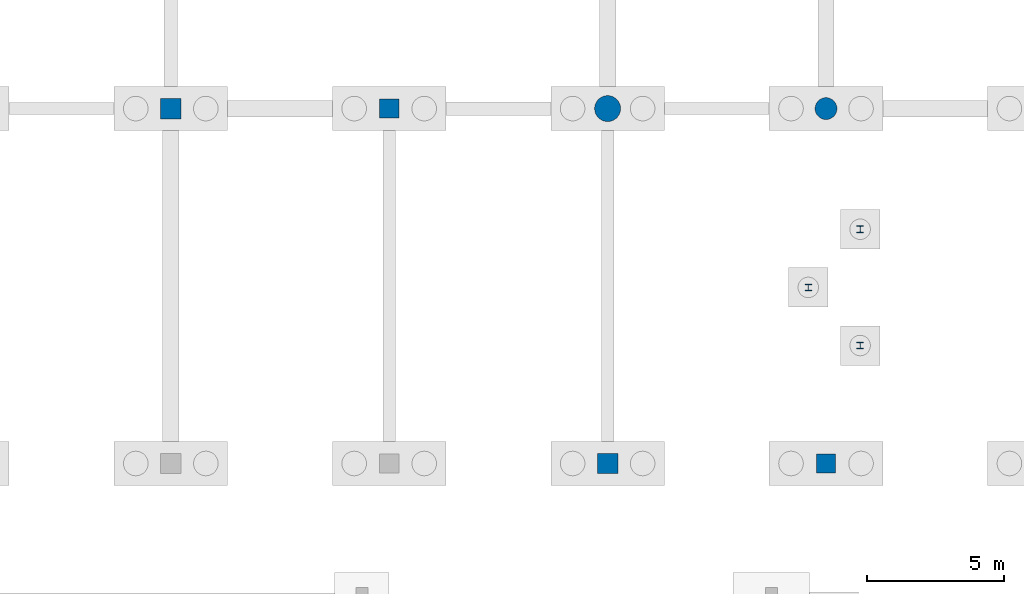
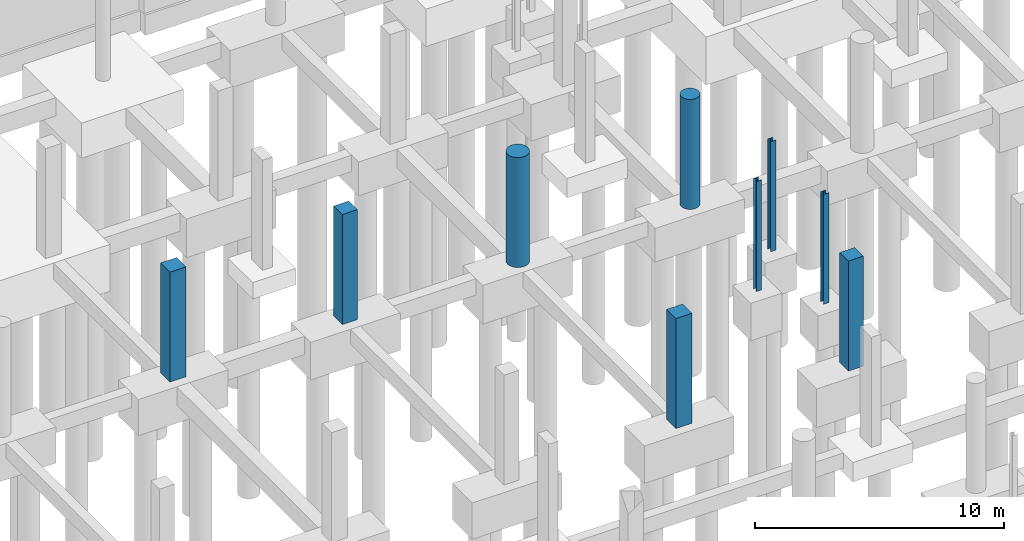
# One storey, part 43 of 65: 9 columns.
"""IFC4 building model written with IfcOpenShell, lengths in metres."""

from ifc_helpers import new_model, si_unit, direction, frame, origin, origin_2d, place, context, subcontext, project, spatial, rectangle, circle, i_section, extrude, material, material_profile, profile_set, type_object, element, save


model = new_model("IFC4")

# Units and contexts
model_context = context("Model", 3, precision=1e-05, world=origin(), true_north=direction((0.0, 1.0)))
body_context = subcontext(model_context, "Body", "Model", "MODEL_VIEW")
ifc_project = project(units=[si_unit("LENGTHUNIT", "METRE"), si_unit("AREAUNIT", "SQUARE_METRE"), si_unit("VOLUMEUNIT", "CUBIC_METRE"), si_unit("PLANEANGLEUNIT", "RADIAN"), si_unit("MASSUNIT", "GRAM", prefix="KILO")], contexts=[model_context])

# Site, building, storey
site_placement = place(None, origin())
site = spatial("IfcSite", under=ifc_project, at=site_placement, CompositionType="ELEMENT")
building_placement = place(site_placement, origin())
building = spatial("IfcBuilding", under=site, at=building_placement, Name="Khorjan Park Terminus", CompositionType="ELEMENT")
storey_placement = place(building_placement, frame((0.0, 0.0, -5.4)))
storey = spatial("IfcBuildingStorey", under=building, at=storey_placement, Name="B1", CompositionType="ELEMENT", Elevation=-5.4)

# Columns
ifc_material_1 = material(Name="Steel S355", Category="steel")
ifc_material_profile_1 = material_profile(ifc_material_1, i_section(OverallWidth=0.24, OverallDepth=0.24, WebThickness=0.01, FlangeThickness=0.017, FilletRadius=0.021, at=origin_2d()), Name="HEB 240")
ifc_profile_set_1 = profile_set([ifc_material_profile_1], Name="Steel S355")
column_type_1 = type_object("IfcColumnType", Name="COL-HB240", PredefinedType="COLUMN", material=ifc_profile_set_1)
for number, where, z_axis, x_axis, name in (
    (1, (113.25, 125.82, 0.0), (0.0, 0.0, 1.0), (1.0, 0.0, 0.0), "Structural column SC-H24 (B1 #1008)"),
    (2, (113.25, 130.08, 0.0), (0.0, 0.0, 1.0), (1.0, 0.0, 0.0), "Structural column SC-H24 (B1 #1010)"),
    (3, (111.35, 127.95, 0.0), (0.0, 0.0, 1.0), (1.0, 0.0, 0.0), "Structural column SC-H24 (B1 #1012)"),
):
    element("IfcColumn", number, at=place(storey_placement, frame(where, z_axis=z_axis, x_axis=x_axis)), inside=storey, type_object=column_type_1, Name=name, PredefinedType="COLUMN", context=body_context, shape_type="SweptSolid", body=[
        extrude(i_section(OverallWidth=0.24, OverallDepth=0.24, WebThickness=0.01, FlangeThickness=0.017, FilletRadius=0.021, at=origin_2d()), origin(), (0.0, 0.0, 1.0), 5.4),
    ])
ifc_material_2 = material(Name="Concrete C40/50", Category="concrete")
ifc_material_profile_2 = material_profile(ifc_material_2, rectangle(XDim=0.7, YDim=0.7, at=origin_2d()), Name="RC 700x700")
ifc_profile_set_2 = profile_set([ifc_material_profile_2], Name="Concrete C40/50")
column_type_2 = type_object("IfcColumnType", Name="COL-RC700", PredefinedType="COLUMN", material=ifc_profile_set_2)
for number, where, z_axis, x_axis, name in (
    (4, (96.0, 134.5, 0.0), (0.0, 0.0, 1.0), (1.0, 0.0, 0.0), "Structural column C-RC07 (B1 #146)"),
    (5, (112.0, 121.5, 0.0), (0.0, 0.0, 1.0), (1.0, 0.0, 0.0), "Structural column C-RC07 (B1 #172)"),
):
    element("IfcColumn", number, at=place(storey_placement, frame(where, z_axis=z_axis, x_axis=x_axis)), inside=storey, type_object=column_type_2, Name=name, PredefinedType="COLUMN", context=body_context, shape_type="SweptSolid", body=[
        extrude(rectangle(XDim=0.7, YDim=0.7, at=origin_2d()), origin(), (0.0, 0.0, 1.0), 5.4),
    ])
ifc_material_profile_3 = material_profile(ifc_material_2, rectangle(XDim=0.75, YDim=0.75, at=origin_2d()), Name="RC 750x750")
ifc_profile_set_3 = profile_set([ifc_material_profile_3], Name="Concrete C40/50")
column_type_3 = type_object("IfcColumnType", Name="COL-RC750", PredefinedType="COLUMN", material=ifc_profile_set_3)
for number, where, z_axis, x_axis, name in (
    (6, (88.0, 134.5, 0.0), (0.0, 0.0, 1.0), (1.0, 0.0, 0.0), "Structural column C-RC75 (B1 #134)"),
    (7, (104.0, 121.5, 0.0), (0.0, 0.0, 1.0), (1.0, 0.0, 0.0), "Structural column C-RC75 (B1 #158)"),
):
    element("IfcColumn", number, at=place(storey_placement, frame(where, z_axis=z_axis, x_axis=x_axis)), inside=storey, type_object=column_type_3, Name=name, PredefinedType="COLUMN", context=body_context, shape_type="SweptSolid", body=[
        extrude(rectangle(XDim=0.75, YDim=0.75, at=origin_2d()), origin(), (0.0, 0.0, 1.0), 5.4),
    ])
ifc_material_profile_4 = material_profile(ifc_material_2, circle(Radius=0.4, at=origin_2d()), Name="RC D800")
ifc_profile_set_4 = profile_set([ifc_material_profile_4], Name="Concrete C40/50")
column_type_4 = type_object("IfcColumnType", Name="COL-RD800", PredefinedType="COLUMN", material=ifc_profile_set_4)
column_1_placement = place(storey_placement, frame((112.0, 134.5, 0.0), z_axis=(0.0, 0.0, 1.0), x_axis=(1.0, 0.0, 0.0)))
element("IfcColumn", 8, at=column_1_placement, inside=storey, type_object=column_type_4, Name="Structural column C-RD80 (B1 #173)", PredefinedType="COLUMN", context=body_context, shape_type="SweptSolid", body=[
    extrude(circle(Radius=0.4, at=origin_2d()), origin(), (0.0, 0.0, 1.0), 5.4),
])
ifc_material_3 = material(Name="Concrete C50/60", Category="concrete")
ifc_material_profile_5 = material_profile(ifc_material_3, circle(Radius=0.475, at=origin_2d()), Name="RC D950")
ifc_profile_set_5 = profile_set([ifc_material_profile_5], Name="Concrete C50/60")
column_type_5 = type_object("IfcColumnType", Name="COL-RD950", PredefinedType="COLUMN", material=ifc_profile_set_5)
column_2_placement = place(storey_placement, frame((104.0, 134.5, 0.0), z_axis=(0.0, 0.0, 1.0), x_axis=(1.0, 0.0, 0.0)))
element("IfcColumn", 9, at=column_2_placement, inside=storey, type_object=column_type_5, Name="Structural column C-RD95 (B1 #159)", PredefinedType="COLUMN", context=body_context, shape_type="SweptSolid", body=[
    extrude(circle(Radius=0.475, at=origin_2d()), origin(), (0.0, 0.0, 1.0), 5.4),
])

save(model, "model.ifc")
